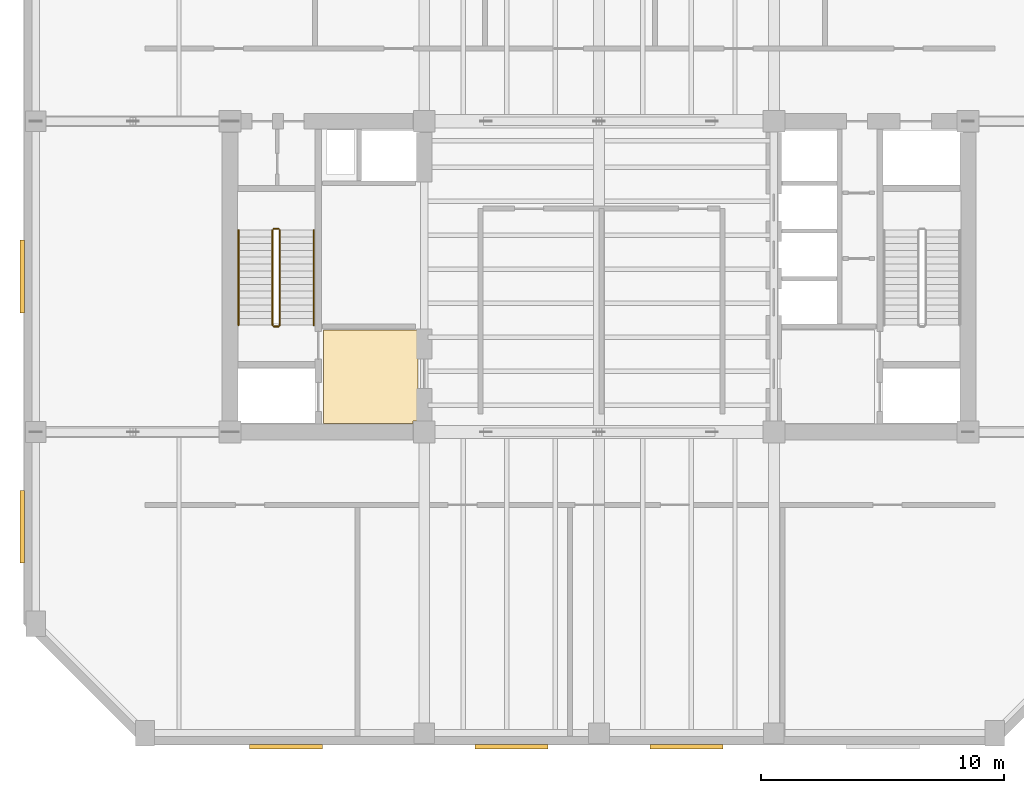
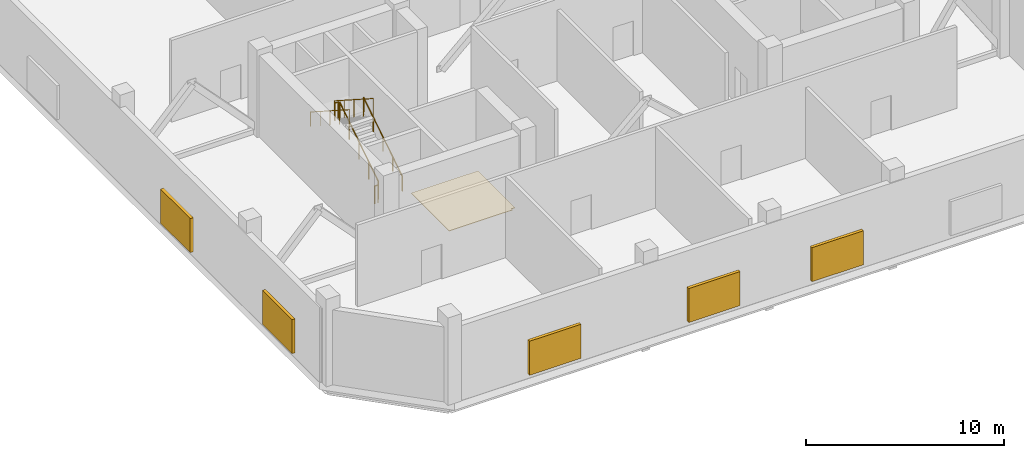
# One storey, part 7 of 9: 6 railings, 5 shading devices, 1 covering.
"""IFC4 building model written with IfcOpenShell, lengths in metres."""

from ifc_helpers import new_model, si_unit, direction, frame, origin, origin_2d, place, context, subcontext, project, spatial, polyline, rectangle, circle, outline, extrude, material, layer, layer_set, type_object, element, save


model = new_model("IFC4")

# Units and contexts
model_context = context("Model", 3, precision=1e-05, world=origin(), true_north=direction((0.0, 1.0)))
body_context = subcontext(model_context, "Body", "Model", "MODEL_VIEW")
ifc_project = project(units=[si_unit("LENGTHUNIT", "METRE"), si_unit("AREAUNIT", "SQUARE_METRE"), si_unit("VOLUMEUNIT", "CUBIC_METRE"), si_unit("PLANEANGLEUNIT", "RADIAN"), si_unit("MASSUNIT", "GRAM", prefix="KILO")], contexts=[model_context])

# Site, building, storey
site_placement = place(None, origin())
site = spatial("IfcSite", under=ifc_project, at=site_placement, CompositionType="ELEMENT")
building_placement = place(site_placement, origin())
building = spatial("IfcBuilding", under=site, at=building_placement, Name="Kranthara Brick Stack", CompositionType="ELEMENT")
storey_placement = place(building_placement, frame((0.0, 0.0, 197.300048828125)))
storey = spatial("IfcBuildingStorey", under=building, at=storey_placement, Name="L51", CompositionType="ELEMENT", Elevation=197.300048828125)

# Covering
ifc_material_1 = material(Name="Honed terrazzo and porcelain floor finish", Category="stone")
ifc_layer = layer(ifc_material_1, 0.030029296875)
ifc_layer_set = layer_set([ifc_layer], Name="Honed terrazzo and porcelain floor finish")
covering_type = type_object("IfcCoveringType", Name="COV-FLOR-STONE", PredefinedType="FLOORING", material=ifc_layer_set)
covering_placement = place(storey_placement, origin())
element("IfcCovering", 1, at=covering_placement, inside=storey, type_object=covering_type, Name="L51 Lift Lobby Stone Flooring", PredefinedType="FLOORING", context=body_context, shape_type="SweptSolid", body=[
    extrude(outline(polyline([(16.64990234375, 21.14990234375), (16.64990234375, 25.0), (20.550048828125, 25.0), (20.550048828125, 21.260009765625), (20.340087890625, 21.260009765625), (20.340087890625, 21.14990234375), (16.64990234375, 21.14990234375)])), origin(), (0.0, 0.0, 1.0), 0.030029296875),
])

# Railings
ifc_material_2 = material(Name="Painted galvanized steel stair guardrail", Category="steel")
railing_type_1 = type_object("IfcRailingType", Name="RL-STAIR-GUARD-1100", PredefinedType="GUARDRAIL", material=ifc_material_2)
railing_1_placement = place(storey_placement, frame((14.85009765625, 25.199951171875, 0.179931640625)))
element("IfcRailing", 2, at=railing_1_placement, inside=storey, type_object=railing_type_1, Name="L51 ST01 stair guard 1", PredefinedType="GUARDRAIL", context=body_context, shape_type="SweptSolid", body=[
    extrude(circle(Radius=0.02392578125, at=origin_2d()), frame((0.0, 0.0, 1.076171875), z_axis=(0.0, 0.841186985886, 0.540744352514), x_axis=(-1.0, 0.0, 0.0)), (0.0, 0.0, 1.0), 4.660400390625),
    extrude(circle(Radius=0.02099609375, at=origin_2d()), origin(), (0.0, 0.0, 1.0), 1.052001953125),
    extrude(circle(Radius=0.02099609375, at=origin_2d()), frame((0.0, 0.97998046875, 0.6298828125)), (0.0, 0.0, 1.0), 1.052001953125),
    extrude(circle(Radius=0.02099609375, at=origin_2d()), frame((0.0, 1.9599609375, 1.260009765625)), (0.0, 0.0, 1.0), 1.052001953125),
    extrude(circle(Radius=0.02099609375, at=origin_2d()), frame((0.0, 2.940185546875, 1.89013671875)), (0.0, 0.0, 1.0), 1.052001953125),
    extrude(circle(Radius=0.02099609375, at=origin_2d()), frame((0.0, 3.920166015625, 2.52001953125)), (0.0, 0.0, 1.0), 1.052001953125),
])
railing_2_placement = place(storey_placement, frame((14.800048828125, 29.169921875, 2.699951171875)))
element("IfcRailing", 3, at=railing_2_placement, inside=storey, type_object=railing_type_1, Name="L51 ST01 stair guard 2", PredefinedType="GUARDRAIL", context=body_context, shape_type="SweptSolid", body=[
    extrude(circle(Radius=0.02392578125, at=origin_2d()), frame((0.0, 0.0, 1.076171875), z_axis=(-1.0, 0.0, 0.0), x_axis=(0.0, -1.0, 0.0)), (0.0, 0.0, 1.0), 0.199951171875),
    extrude(circle(Radius=0.02099609375, at=origin_2d()), origin(), (0.0, 0.0, 1.0), 1.052001953125),
    extrude(circle(Radius=0.02099609375, at=origin_2d()), frame((-0.199951171875, 0.0, 0.0)), (0.0, 0.0, 1.0), 1.052001953125),
])
railing_3_placement = place(storey_placement, frame((14.550048828125, 29.1201171875, 2.8798828125)))
element("IfcRailing", 4, at=railing_3_placement, inside=storey, type_object=railing_type_1, Name="L51 ST01 stair guard 3", PredefinedType="GUARDRAIL", context=body_context, shape_type="SweptSolid", body=[
    extrude(circle(Radius=0.02392578125, at=origin_2d()), frame((0.0, 0.0, 1.076171875), z_axis=(0.0, -0.841186985886, 0.540744352514), x_axis=(1.0, 0.0, 0.0)), (0.0, 0.0, 1.0), 4.660400390625),
    extrude(circle(Radius=0.02099609375, at=origin_2d()), origin(), (0.0, 0.0, 1.0), 1.052001953125),
    extrude(circle(Radius=0.02099609375, at=origin_2d()), frame((0.0, -0.97998046875, 0.6298828125)), (0.0, 0.0, 1.0), 1.052001953125),
    extrude(circle(Radius=0.02099609375, at=origin_2d()), frame((0.0, -1.9599609375, 1.260009765625)), (0.0, 0.0, 1.0), 1.052001953125),
    extrude(circle(Radius=0.02099609375, at=origin_2d()), frame((0.0, -2.940185546875, 1.89013671875)), (0.0, 0.0, 1.0), 1.052001953125),
    extrude(circle(Radius=0.02099609375, at=origin_2d()), frame((0.0, -3.920166015625, 2.52001953125)), (0.0, 0.0, 1.0), 1.052001953125),
])
railing_4_placement = place(storey_placement, frame((14.800048828125, 25.14990234375, 0.0)))
element("IfcRailing", 5, at=railing_4_placement, inside=storey, type_object=railing_type_1, Name="L51 ST01 stair guard 4", PredefinedType="GUARDRAIL", context=body_context, shape_type="SweptSolid", body=[
    extrude(circle(Radius=0.02392578125, at=origin_2d()), frame((0.0, 0.0, 1.076171875), z_axis=(-1.0, 0.0, 0.0), x_axis=(0.0, -1.0, 0.0)), (0.0, 0.0, 1.0), 0.199951171875),
    extrude(circle(Radius=0.02099609375, at=origin_2d()), origin(), (0.0, 0.0, 1.0), 1.052001953125),
    extrude(circle(Radius=0.02099609375, at=origin_2d()), frame((-0.199951171875, 0.0, 0.0)), (0.0, 0.0, 1.0), 1.052001953125),
])
ifc_material_3 = material(Name="Brushed stainless steel tubular handrail", Category="steel")
railing_type_2 = type_object("IfcRailingType", Name="RL-STAIR-HAND-900", PredefinedType="HANDRAIL", material=ifc_material_3)
railing_5_placement = place(storey_placement, frame((16.25, 25.199951171875, 0.179931640625)))
element("IfcRailing", 6, at=railing_5_placement, inside=storey, type_object=railing_type_2, Name="L51 ST01 stair handrail 1", PredefinedType="HANDRAIL", context=body_context, shape_type="SweptSolid", body=[
    extrude(circle(Radius=0.02392578125, at=origin_2d()), frame((0.0, 0.0, 0.8759765625), z_axis=(0.0, 0.841186985886, 0.540744352514), x_axis=(-1.0, 0.0, 0.0)), (0.0, 0.0, 1.0), 4.660400390625),
    extrude(circle(Radius=0.02099609375, at=origin_2d()), origin(), (0.0, 0.0, 1.0), 0.851806640625),
    extrude(circle(Radius=0.02099609375, at=origin_2d()), frame((0.0, 0.97998046875, 0.6298828125)), (0.0, 0.0, 1.0), 0.851806640625),
    extrude(circle(Radius=0.02099609375, at=origin_2d()), frame((0.0, 1.9599609375, 1.260009765625)), (0.0, 0.0, 1.0), 0.851806640625),
    extrude(circle(Radius=0.02099609375, at=origin_2d()), frame((0.0, 2.940185546875, 1.89013671875)), (0.0, 0.0, 1.0), 0.851806640625),
    extrude(circle(Radius=0.02099609375, at=origin_2d()), frame((0.0, 3.920166015625, 2.52001953125)), (0.0, 0.0, 1.0), 0.851806640625),
])
railing_6_placement = place(storey_placement, frame((13.14990234375, 29.1201171875, 2.8798828125)))
element("IfcRailing", 7, at=railing_6_placement, inside=storey, type_object=railing_type_2, Name="L51 ST01 stair handrail 2", PredefinedType="HANDRAIL", context=body_context, shape_type="SweptSolid", body=[
    extrude(circle(Radius=0.02392578125, at=origin_2d()), frame((0.0, 0.0, 0.8759765625), z_axis=(0.0, -0.841186985886, 0.540744352514), x_axis=(1.0, 0.0, 0.0)), (0.0, 0.0, 1.0), 4.660400390625),
    extrude(circle(Radius=0.02099609375, at=origin_2d()), origin(), (0.0, 0.0, 1.0), 0.851806640625),
    extrude(circle(Radius=0.02099609375, at=origin_2d()), frame((0.0, -0.97998046875, 0.6298828125)), (0.0, 0.0, 1.0), 0.851806640625),
    extrude(circle(Radius=0.02099609375, at=origin_2d()), frame((0.0, -1.9599609375, 1.260009765625)), (0.0, 0.0, 1.0), 0.851806640625),
    extrude(circle(Radius=0.02099609375, at=origin_2d()), frame((0.0, -2.940185546875, 1.89013671875)), (0.0, 0.0, 1.0), 0.851806640625),
    extrude(circle(Radius=0.02099609375, at=origin_2d()), frame((0.0, -3.920166015625, 2.52001953125)), (0.0, 0.0, 1.0), 0.851806640625),
])

# Shading devices
ifc_material_4 = material(Name="Bronze anodised aluminium acoustic louvre", Category="aluminium")
shading_device_type = type_object("IfcShadingDeviceType", Name="SHD-LOUVRE-PLANT", PredefinedType="JALOUSIE", material=ifc_material_4)
for number, where, z_axis, x_axis, name in (
    (8, (31.60009765625, 7.840087890625, 0.2998046875), (0.0, 0.0, 1.0), (-1.0, 0.0, 0.0), "L51 SOUTH Mechanical Louvre Bank 2"),
    (9, (24.39990234375, 7.840087890625, 0.2998046875), (0.0, 0.0, 1.0), (-1.0, 0.0, 0.0), "L51 SOUTH Mechanical Louvre Bank 3"),
    (10, (15.10009765625, 7.840087890625, 0.2998046875), (0.0, 0.0, 1.0), (-1.0, 0.0, 0.0), "L51 SOUTH Mechanical Louvre Bank 4"),
    (11, (4.239990234375, 16.89990234375, 0.2998046875), (0.0, 0.0, 1.0), (0.0, 1.0, 0.0), "L51 WEST Mechanical Louvre Bank 1"),
    (12, (4.239990234375, 27.199951171875, 0.2998046875), (0.0, 0.0, 1.0), (0.0, 1.0, 0.0), "L51 WEST Mechanical Louvre Bank 2"),
):
    element("IfcShadingDevice", number, at=place(storey_placement, frame(where, z_axis=z_axis, x_axis=x_axis)), inside=storey, type_object=shading_device_type, Name=name, PredefinedType="JALOUSIE", context=body_context, shape_type="SweptSolid", body=[
        extrude(rectangle(XDim=3.0, YDim=0.179931640625, at=origin_2d()), origin(), (0.0, 0.0, 1.0), 2.10009765625),
    ])

save(model, "model.ifc")
